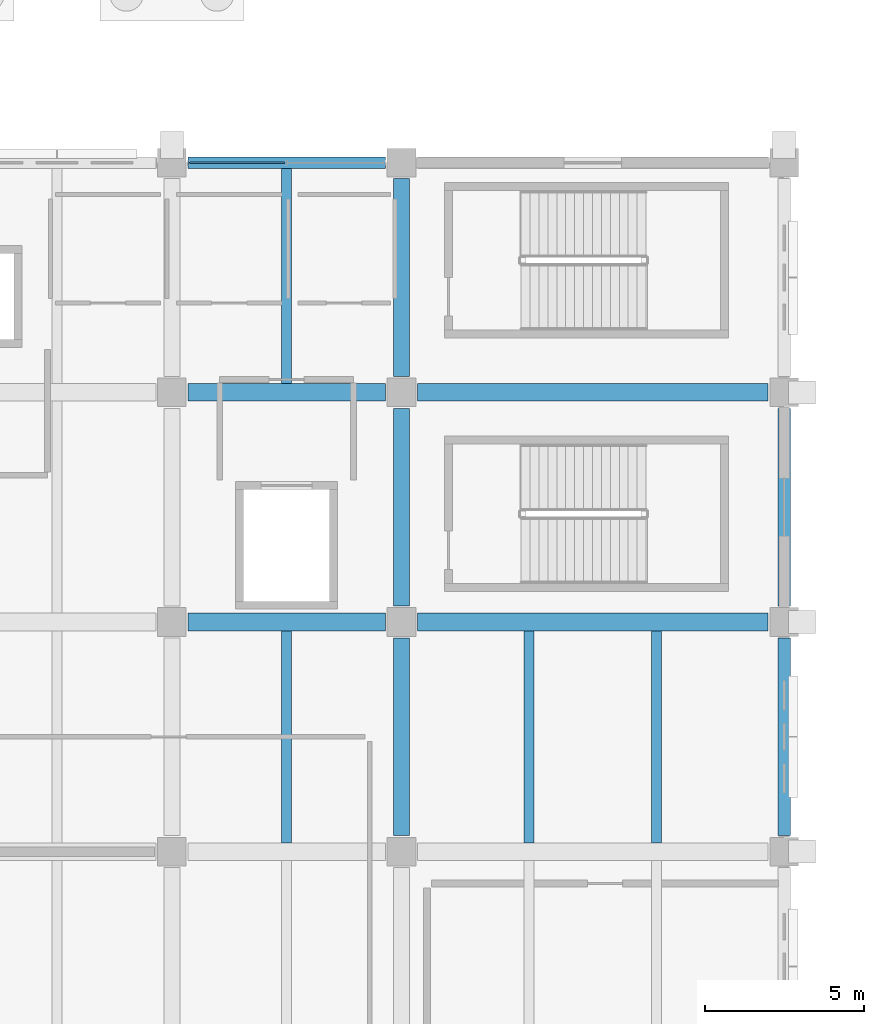
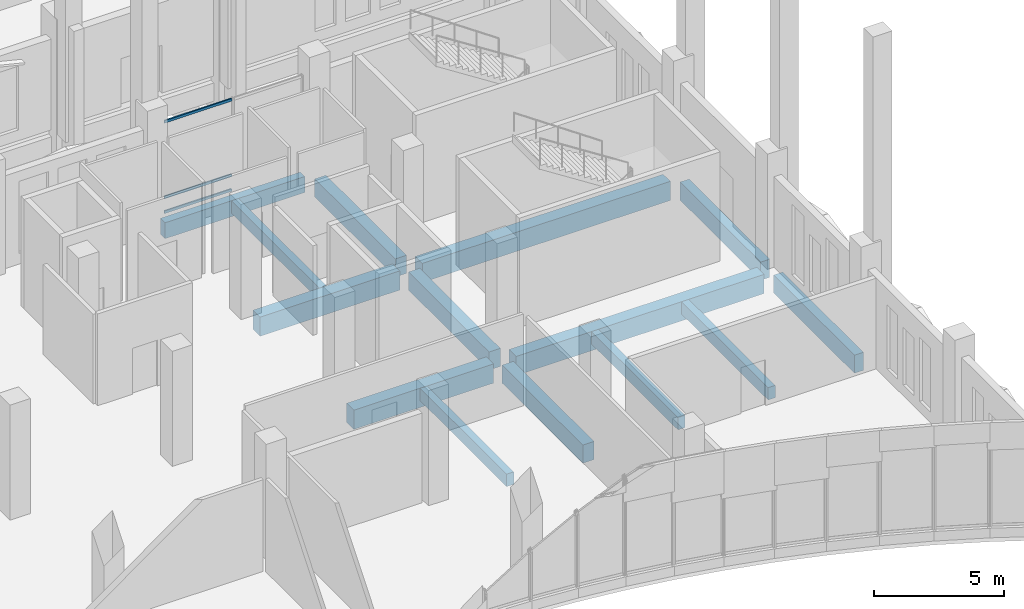
# One storey, part 102 of 192: 14 beams, 3 members, 1 element without a shape of its own.
"""IFC4 building model written with IfcOpenShell, lengths in metres."""

from ifc_helpers import new_model, si_unit, direction, frame, origin, origin_2d, place, context, subcontext, project, spatial, rectangle, hollow_rectangle, extrude, material, material_profile, profile_set, type_object, element, aggregate, save


model = new_model("IFC4")

# Units and contexts
model_context = context("Model", 3, precision=1e-05, world=origin(), true_north=direction((0.0, 1.0)))
body_context = subcontext(model_context, "Body", "Model", "MODEL_VIEW")
ifc_project = project(units=[si_unit("LENGTHUNIT", "METRE"), si_unit("AREAUNIT", "SQUARE_METRE"), si_unit("VOLUMEUNIT", "CUBIC_METRE"), si_unit("PLANEANGLEUNIT", "RADIAN"), si_unit("MASSUNIT", "GRAM", prefix="KILO")], contexts=[model_context])

# Site, building, storey
site_placement = place(None, origin())
site = spatial("IfcSite", under=ifc_project, at=site_placement, CompositionType="ELEMENT")
building_placement = place(site_placement, origin())
building = spatial("IfcBuilding", under=site, at=building_placement, Name="Cendralis Lancet Convention Centre", CompositionType="ELEMENT")
storey_placement = place(building_placement, origin())
storey = spatial("IfcBuildingStorey", under=building, at=storey_placement, Name="L00", CompositionType="ELEMENT", Elevation=0.0)

# Curtain wall, members
ifc_material_1 = material(Name="Anodised bronze architectural aluminium", Category="aluminium")
curtain_wall_type = type_object("IfcCurtainWallType", Name="ARC-CW-CL01", PredefinedType="USERDEFINED", material=ifc_material_1)
curtain_wall_placement = place(storey_placement, origin())
curtain_wall = element("IfcCurtainWall", 1, at=curtain_wall_placement, inside=storey, type_object=curtain_wall_type, Name="L00 Curtain Wall CW-CL1 #181", ObjectType="CURTAIN WALL", PredefinedType="USERDEFINED")
ifc_material_profile_1 = material_profile(ifc_material_1, hollow_rectangle(XDim=0.06005859375, YDim=0.1201171875, WallThickness=0.00390625, at=origin_2d()), Name="AL-TRAN 60x120x4.0")
ifc_profile_set_1 = profile_set([ifc_material_profile_1], Name="Anodised bronze architectural aluminium")
member_type = type_object("IfcMemberType", Name="ARC-CW-TR01", PredefinedType="USERDEFINED", material=ifc_profile_set_1)
member_1_placement = place(storey_placement, frame((190.159912109375, 36.0, 0.06005859375), z_axis=(1.0, 0.0, 0.0), x_axis=(0.0, 1.0, 0.0)))
member_1 = element("IfcMember", 2, at=member_1_placement, type_object=member_type, Name="Transom CW2-CW-CL1-L00-181-T0BOT", ObjectType="TRANSOM", PredefinedType="USERDEFINED", context=body_context, shape_type="SweptSolid", body=[
    extrude(hollow_rectangle(XDim=0.06005859375, YDim=0.1201171875, WallThickness=0.00390625, at=origin_2d()), origin(), (0.0, 0.0, 1.0), 2.97998046875),
])
member_2_placement = place(storey_placement, frame((190.159912109375, 36.0, 0.75), z_axis=(1.0, 0.0, 0.0), x_axis=(0.0, 1.0, 0.0)))
member_2 = element("IfcMember", 3, at=member_2_placement, type_object=member_type, Name="Transom CW2-CW-CL1-L00-181-T0MID", ObjectType="TRANSOM", PredefinedType="USERDEFINED", context=body_context, shape_type="SweptSolid", body=[
    extrude(hollow_rectangle(XDim=0.06005859375, YDim=0.1201171875, WallThickness=0.00390625, at=origin_2d()), origin(), (0.0, 0.0, 1.0), 2.97998046875),
])
member_3_placement = place(storey_placement, frame((190.159912109375, 36.0, 4.294921875), z_axis=(1.0, 0.0, 0.0), x_axis=(0.0, 1.0, 0.0)))
member_3 = element("IfcMember", 4, at=member_3_placement, type_object=member_type, Name="Transom CW2-CW-CL1-L00-181-T0TOP", ObjectType="TRANSOM", PredefinedType="USERDEFINED", context=body_context, shape_type="SweptSolid", body=[
    extrude(hollow_rectangle(XDim=0.06005859375, YDim=0.1201171875, WallThickness=0.00390625, at=origin_2d()), origin(), (0.0, 0.0, 1.0), 2.97998046875),
])
aggregate(curtain_wall, [member_1, member_2, member_3])

# Beams
ifc_material_2 = material(Name="Concrete G40 (C40/50)", Category="concrete")
ifc_material_profile_2 = material_profile(ifc_material_2, rectangle(XDim=0.550048828125, YDim=0.89990234375, at=origin_2d()), Name="RCB 550x900")
ifc_profile_set_2 = profile_set([ifc_material_profile_2], Name="Concrete G40 (C40/50)")
beam_type_1 = type_object("IfcBeamType", Name="STR-BM-BG06", PredefinedType="BEAM", material=ifc_profile_set_2)
beam_1_placement = place(storey_placement, frame((190.10009765625, 21.60009765625, -0.77001953125), z_axis=(1.0, 0.0, 0.0), x_axis=(0.0, 1.0, 0.0)))
element("IfcBeam", 5, at=beam_1_placement, inside=storey, type_object=beam_type_1, Name="L00 Beam BG06 #0029", PredefinedType="BEAM", context=body_context, shape_type="SweptSolid", body=[
    extrude(rectangle(XDim=0.550048828125, YDim=0.89990234375, at=origin_2d()), origin(), (0.0, 0.0, 1.0), 6.199951171875),
])
beam_2_placement = place(storey_placement, frame((197.300048828125, 21.60009765625, -0.77001953125), z_axis=(1.0, 0.0, 0.0), x_axis=(0.0, 1.0, 0.0)))
element("IfcBeam", 6, at=beam_2_placement, inside=storey, type_object=beam_type_1, Name="L00 Beam BG06 #0030", PredefinedType="BEAM", context=body_context, shape_type="SweptSolid", body=[
    extrude(rectangle(XDim=0.550048828125, YDim=0.89990234375, at=origin_2d()), origin(), (0.0, 0.0, 1.0), 11.0),
])
beam_3_placement = place(storey_placement, frame((190.10009765625, 28.800048828125, -0.77001953125), z_axis=(1.0, 0.0, 0.0), x_axis=(0.0, 1.0, 0.0)))
element("IfcBeam", 7, at=beam_3_placement, inside=storey, type_object=beam_type_1, Name="L00 Beam BG06 #0039", PredefinedType="BEAM", context=body_context, shape_type="SweptSolid", body=[
    extrude(rectangle(XDim=0.550048828125, YDim=0.89990234375, at=origin_2d()), origin(), (0.0, 0.0, 1.0), 6.199951171875),
])
beam_4_placement = place(storey_placement, frame((197.300048828125, 28.800048828125, -0.77001953125), z_axis=(1.0, 0.0, 0.0), x_axis=(0.0, 1.0, 0.0)))
element("IfcBeam", 8, at=beam_4_placement, inside=storey, type_object=beam_type_1, Name="L00 Beam BG06 #0040", PredefinedType="BEAM", context=body_context, shape_type="SweptSolid", body=[
    extrude(rectangle(XDim=0.550048828125, YDim=0.89990234375, at=origin_2d()), origin(), (0.0, 0.0, 1.0), 11.0),
])
ifc_material_3 = material(Name="Concrete G35 (C35/45)", Category="concrete")
ifc_material_profile_3 = material_profile(ifc_material_3, rectangle(XDim=0.5, YDim=0.85009765625, at=origin_2d()), Name="RCB 500x850")
ifc_profile_set_3 = profile_set([ifc_material_profile_3], Name="Concrete G35 (C35/45)")
beam_type_2 = type_object("IfcBeamType", Name="STR-BM-BG08", PredefinedType="BEAM", material=ifc_profile_set_3)
beam_5_placement = place(storey_placement, frame((196.800048828125, 14.89990234375, -0.7451171875), z_axis=(0.0, 1.0, 0.0), x_axis=(-1.0, 0.0, 0.0)))
element("IfcBeam", 9, at=beam_5_placement, inside=storey, type_object=beam_type_2, Name="L00 Beam BG08 #0086", PredefinedType="BEAM", context=body_context, shape_type="SweptSolid", body=[
    extrude(rectangle(XDim=0.5, YDim=0.85009765625, at=origin_2d()), origin(), (0.0, 0.0, 1.0), 6.2001953125),
])
for number, where, z_axis, x_axis, name in (
    (10, (196.800048828125, 22.10009765625, -0.7451171875), (0.0, 1.0, 0.0), (-1.0, 0.0, 0.0), "L00 Beam BG08 #0087"),
    (11, (196.800048828125, 29.300048828125, -0.7451171875), (0.0, 1.0, 0.0), (-1.0, 0.0, 0.0), "L00 Beam BG08 #0088"),
):
    element("IfcBeam", number, at=place(storey_placement, frame(where, z_axis=z_axis, x_axis=x_axis)), inside=storey, type_object=beam_type_2, Name=name, PredefinedType="BEAM", context=body_context, shape_type="SweptSolid", body=[
        extrude(rectangle(XDim=0.5, YDim=0.85009765625, at=origin_2d()), origin(), (0.0, 0.0, 1.0), 6.199951171875),
    ])
ifc_material_profile_4 = material_profile(ifc_material_3, rectangle(XDim=0.320068359375, YDim=0.580078125, at=origin_2d()), Name="RCB 320x580")
ifc_profile_set_4 = profile_set([ifc_material_profile_4], Name="Concrete G35 (C35/45)")
beam_type_3 = type_object("IfcBeamType", Name="STR-JS-BJ01", PredefinedType="JOIST", material=ifc_profile_set_4)
beam_6_placement = place(storey_placement, frame((193.199951171875, 14.675048828125, -0.610107421875), z_axis=(0.0, 1.0, 0.0), x_axis=(-1.0, 0.0, 0.0)))
element("IfcBeam", 12, at=beam_6_placement, inside=storey, type_object=beam_type_3, Name="L00 Beam BJ01 #0121", PredefinedType="JOIST", context=body_context, shape_type="SweptSolid", body=[
    extrude(rectangle(XDim=0.320068359375, YDim=0.580078125, at=origin_2d()), origin(), (0.0, 0.0, 1.0), 6.64990234375),
])
beam_7_placement = place(storey_placement, frame((193.199951171875, 29.074951171875, -0.610107421875), z_axis=(0.0, 1.0, 0.0), x_axis=(-1.0, 0.0, 0.0)))
element("IfcBeam", 13, at=beam_7_placement, inside=storey, type_object=beam_type_3, Name="L00 Beam BJ01 #0122", PredefinedType="JOIST", context=body_context, shape_type="SweptSolid", body=[
    extrude(rectangle(XDim=0.320068359375, YDim=0.580078125, at=origin_2d()), origin(), (0.0, 0.0, 1.0), 6.75),
])
for number, where, z_axis, x_axis, name in (
    (14, (200.800048828125, 14.675048828125, -0.610107421875), (0.0, 1.0, 0.0), (-1.0, 0.0, 0.0), "L00 Beam BJ01 #0124"),
    (15, (204.800048828125, 14.675048828125, -0.610107421875), (0.0, 1.0, 0.0), (-1.0, 0.0, 0.0), "L00 Beam BJ01 #0126"),
):
    element("IfcBeam", number, at=place(storey_placement, frame(where, z_axis=z_axis, x_axis=x_axis)), inside=storey, type_object=beam_type_3, Name=name, PredefinedType="JOIST", context=body_context, shape_type="SweptSolid", body=[
        extrude(rectangle(XDim=0.320068359375, YDim=0.580078125, at=origin_2d()), origin(), (0.0, 0.0, 1.0), 6.64990234375),
    ])
ifc_material_profile_5 = material_profile(ifc_material_2, rectangle(XDim=0.35009765625, YDim=0.75, at=origin_2d()), Name="RCB 350x750")
ifc_profile_set_5 = profile_set([ifc_material_profile_5], Name="Concrete G40 (C40/50)")
beam_type_4 = type_object("IfcBeamType", Name="STR-SP-SP01", PredefinedType="SPANDREL", material=ifc_profile_set_5)
beam_8_placement = place(storey_placement, frame((190.10009765625, 36.0, -0.695068359375), z_axis=(1.0, 0.0, 0.0), x_axis=(0.0, 1.0, 0.0)))
element("IfcBeam", 16, at=beam_8_placement, inside=storey, type_object=beam_type_4, Name="L00 Beam SP01 #0049", PredefinedType="SPANDREL", context=body_context, shape_type="SweptSolid", body=[
    extrude(rectangle(XDim=0.35009765625, YDim=0.75, at=origin_2d()), origin(), (0.0, 0.0, 1.0), 6.199951171875),
])
ifc_material_profile_6 = material_profile(ifc_material_2, rectangle(XDim=0.39990234375, YDim=0.85009765625, at=origin_2d()), Name="RCB 400x850")
ifc_profile_set_6 = profile_set([ifc_material_profile_6], Name="Concrete G40 (C40/50)")
beam_type_5 = type_object("IfcBeamType", Name="STR-SP-SP02", PredefinedType="SPANDREL", material=ifc_profile_set_6)
beam_9_placement = place(storey_placement, frame((208.800048828125, 14.89990234375, -0.7451171875), z_axis=(0.0, 1.0, 0.0), x_axis=(-1.0, 0.0, 0.0)))
element("IfcBeam", 17, at=beam_9_placement, inside=storey, type_object=beam_type_5, Name="L00 Beam SP02 #0090", PredefinedType="SPANDREL", context=body_context, shape_type="SweptSolid", body=[
    extrude(rectangle(XDim=0.39990234375, YDim=0.85009765625, at=origin_2d()), origin(), (0.0, 0.0, 1.0), 6.2001953125),
])
beam_10_placement = place(storey_placement, frame((208.800048828125, 22.10009765625, -0.7451171875), z_axis=(0.0, 1.0, 0.0), x_axis=(-1.0, 0.0, 0.0)))
element("IfcBeam", 18, at=beam_10_placement, inside=storey, type_object=beam_type_5, Name="L00 Beam SP02 #0091", PredefinedType="SPANDREL", context=body_context, shape_type="SweptSolid", body=[
    extrude(rectangle(XDim=0.39990234375, YDim=0.85009765625, at=origin_2d()), origin(), (0.0, 0.0, 1.0), 6.199951171875),
])

save(model, "model.ifc")
